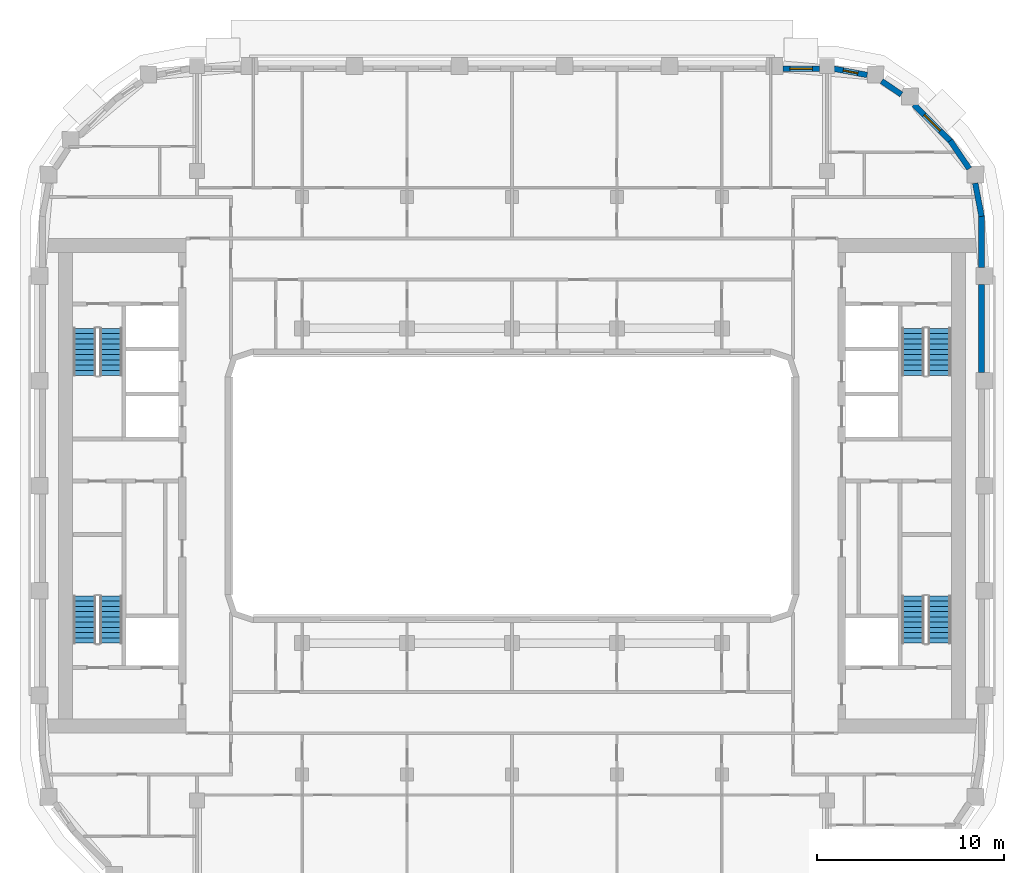
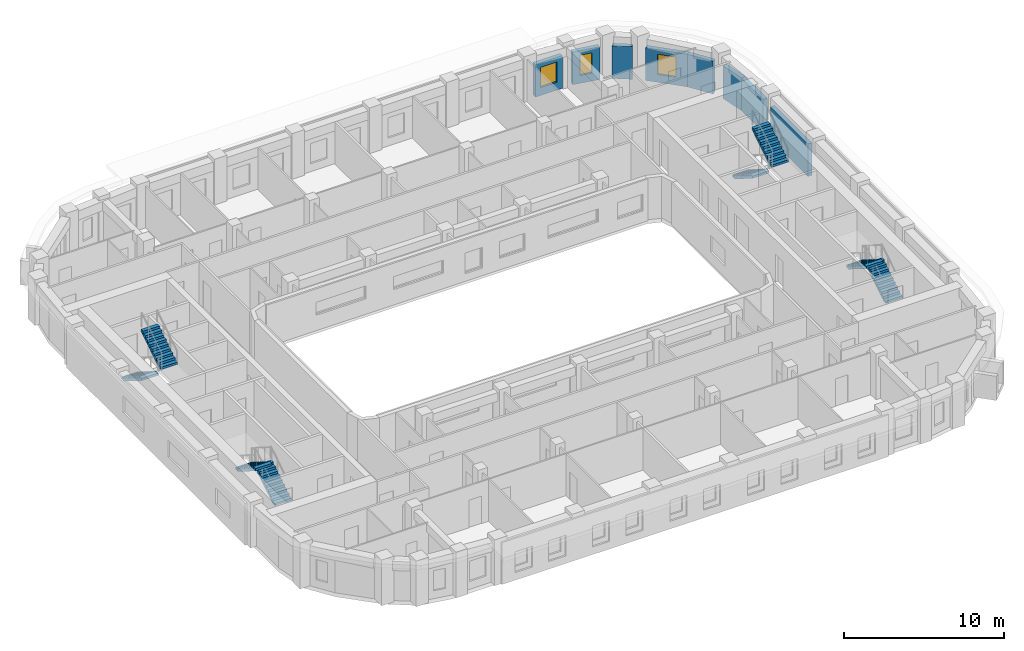
# One storey, part 9 of 21: 8 stair flights, 8 walls, 3 windows, 3 openings, 4 elements without a shape of their own.
"""IFC4 building model written with IfcOpenShell, lengths in metres."""

from ifc_helpers import new_model, si_unit, direction, frame, frame_2d, origin, place, context, subcontext, project, spatial, polyline, rectangle, outline, extrude, material, layer, layer_set, type_object, element, fill, aggregate, save


model = new_model("IFC4")

# Units and contexts
model_context = context("Model", 3, precision=1e-05, world=origin(), true_north=direction((0.0, 1.0)))
body_context = subcontext(model_context, "Body", "Model", "MODEL_VIEW")
ifc_project = project(units=[si_unit("LENGTHUNIT", "METRE"), si_unit("AREAUNIT", "SQUARE_METRE"), si_unit("VOLUMEUNIT", "CUBIC_METRE"), si_unit("PLANEANGLEUNIT", "RADIAN"), si_unit("MASSUNIT", "GRAM", prefix="KILO")], contexts=[model_context])

# Site, building, storey
site_placement = place(None, origin())
site = spatial("IfcSite", under=ifc_project, at=site_placement, CompositionType="ELEMENT")
building_placement = place(site_placement, origin())
building = spatial("IfcBuilding", under=site, at=building_placement, Name="Kiln Ring Residences", CompositionType="ELEMENT")
storey_placement = place(building_placement, frame((0.0, 0.0, 199.39990234375)))
storey = spatial("IfcBuildingStorey", under=building, at=storey_placement, Name="L51", CompositionType="ELEMENT", Elevation=199.39990234375)

# Walls
ifc_material_1 = material(Name="Brick masonry, dark clay brick", Category="masonry")
ifc_layer = layer(ifc_material_1, 0.300048828125)
ifc_layer_set = layer_set([ifc_layer], Name="EW-300 BRICK WALL")
wall_type = type_object("IfcWallType", Name="EW-300 BRICK WALL", PredefinedType="SOLIDWALL", material=ifc_layer_set)
wall_1_placement = place(storey_placement, frame((25.050048828125, 6.050048828125, 0.0), z_axis=(0.0, 0.0, 1.0), x_axis=(0.0, 1.0, 0.0)))
element("IfcWall", 1, at=wall_1_placement, inside=storey, type_object=wall_type, Name="Facade wall L51 20", PredefinedType="SOLIDWALL", context=body_context, shape_type="SweptSolid", body=[
    extrude(rectangle(XDim=4.699951171875, YDim=0.300048828125, at=frame_2d((2.35009765625, 0.0))), origin(), (0.0, 0.0, 1.0), 2.5),
])
wall_2_placement = place(storey_placement, frame((25.050048828125, 11.64990234375, 0.0), z_axis=(0.0, 0.0, 1.0), x_axis=(0.0, 1.0, 0.0)))
element("IfcWall", 2, at=wall_2_placement, inside=storey, type_object=wall_type, Name="Facade wall L51 21", PredefinedType="SOLIDWALL", context=body_context, shape_type="SweptSolid", body=[
    extrude(rectangle(XDim=2.75, YDim=0.300048828125, at=frame_2d((1.375, 0.0))), origin(), (0.0, 0.0, 1.0), 2.5),
])
for number, where, z_axis, x_axis, name in (
    (3, (25.052734375, 14.371826171875, 0.0), (0.0, 0.0, 1.0), (-0.187348135549, 0.982293579388, 0.0), "Facade wall L51 22"),
    (4, (24.39404296875, 16.9189453125, 0.0), (0.0, 0.0, 1.0), (-0.562040093569, 0.827109988588, 0.0), "Facade wall L51 23"),
):
    element("IfcWall", number, at=place(storey_placement, frame(where, z_axis=z_axis, x_axis=x_axis)), inside=storey, type_object=wall_type, Name=name, PredefinedType="SOLIDWALL", context=body_context, shape_type="SweptSolid", body=[
        extrude(rectangle(XDim=1.80615234375, YDim=0.300048828125, at=frame_2d((0.903076171875, 0.0))), origin(), (0.0, 0.0, 1.0), 2.5),
    ])

# Wall, opening, window
wall_3_placement = place(storey_placement, frame((23.39697265625, 18.390869140625, 0.0), z_axis=(0.0, 0.0, 1.0), x_axis=(-0.707106781187, 0.707106781187, 0.0)))
wall_3 = element("IfcWall", 5, at=wall_3_placement, inside=storey, type_object=wall_type, Name="Facade wall L51 24", PredefinedType="SOLIDWALL", context=body_context, shape_type="SweptSolid", body=[
    extrude(rectangle(XDim=2.75, YDim=0.300048828125, at=frame_2d((1.375, 0.0))), origin(), (0.0, 0.0, 1.0), 2.5),
])
opening_1_placement = place(wall_3_placement, frame((0.77490234375, 0.0, 0.60009765625)))
opening_1 = element("IfcOpeningElement", 6, at=opening_1_placement, cuts=wall_3, Name="Opening W1", PredefinedType="OPENING", context=body_context, shape_type="SweptSolid", body=[
    extrude(rectangle(XDim=1.199951171875, YDim=1.550048828125, at=frame_2d((0.60009765625, 0.77490234375))), frame((0.0, 0.159912109375, 0.0), z_axis=(0.0, -1.0, 0.0), x_axis=(1.0, 0.0, 0.0)), (0.0, 0.0, 1.0), 0.320068359375),
])
ifc_material_2 = material(Name="Aluminium frame with double glazing", Category="aluminium")
window_type_1 = type_object("IfcWindowType", Name="WINDOW 1200 x 1550", PartitioningType="SINGLE_PANEL", PredefinedType="WINDOW", material=ifc_material_2)
window_1_placement = place(opening_1_placement, origin())
window_1 = element("IfcWindow", 7, at=window_1_placement, inside=storey, type_object=window_type_1, Name="Window L51 17", OverallHeight=1.550048828125, OverallWidth=1.199951171875, PartitioningType="SINGLE_PANEL", PredefinedType="WINDOW", context=body_context, shape_type="SweptSolid", body=[
    extrude(rectangle(XDim=1.199951171875, YDim=1.550048828125, at=frame_2d((0.60009765625, 0.77490234375))), frame((0.0, 0.030029296875, 0.0), z_axis=(0.0, -1.0, 0.0), x_axis=(1.0, 0.0, 0.0)), (0.0, 0.0, 1.0), 0.06005859375),
])
fill(opening_1, window_1)

# Wall
wall_4_placement = place(storey_placement, frame((20.775146484375, 20.876220703125, 0.0), z_axis=(0.0, 0.0, 1.0), x_axis=(-0.827075824828, 0.562090366388, 0.0)))
element("IfcWall", 8, at=wall_4_placement, inside=storey, type_object=wall_type, Name="Facade wall L51 25", PredefinedType="SOLIDWALL", context=body_context, shape_type="SweptSolid", body=[
    extrude(rectangle(XDim=1.27685546875, YDim=0.300048828125, at=frame_2d((0.638427734375, 0.0))), origin(), (0.0, 0.0, 1.0), 2.5),
])

# Wall, opening, window
wall_5_placement = place(storey_placement, frame((18.946044921875, 21.914306640625, 0.0), z_axis=(0.0, 0.0, 1.0), x_axis=(-0.98230529033, 0.187286722942, 0.0)))
wall_5 = element("IfcWall", 9, at=wall_5_placement, inside=storey, type_object=wall_type, Name="Facade wall L51 26", PredefinedType="SOLIDWALL", context=body_context, shape_type="SweptSolid", body=[
    extrude(rectangle(XDim=1.798828125, YDim=0.300048828125, at=frame_2d((0.8994140625, 0.0))), origin(), (0.0, 0.0, 1.0), 2.5),
])
opening_2_placement = place(wall_5_placement, frame((0.49951171875, 0.0, 0.60009765625)))
opening_2 = element("IfcOpeningElement", 10, at=opening_2_placement, cuts=wall_5, Name="Opening W5", PredefinedType="OPENING", context=body_context, shape_type="SweptSolid", body=[
    extrude(rectangle(XDim=0.800048828125, YDim=1.550048828125, at=frame_2d((0.39990234375, 0.77490234375))), frame((0.0, 0.159912109375, 0.0), z_axis=(0.0, -1.0, 0.0), x_axis=(1.0, 0.0, 0.0)), (0.0, 0.0, 1.0), 0.320068359375),
])
ifc_material_3 = material(Name="Aluminium frame with double glazing", Category="aluminium")
window_type_2 = type_object("IfcWindowType", Name="WINDOW 800 x 1550", PartitioningType="SINGLE_PANEL", PredefinedType="WINDOW", material=ifc_material_3)
window_2_placement = place(opening_2_placement, origin())
window_2 = element("IfcWindow", 11, at=window_2_placement, inside=storey, type_object=window_type_2, Name="Window L51 18", OverallHeight=1.550048828125, OverallWidth=0.800048828125, PartitioningType="SINGLE_PANEL", PredefinedType="WINDOW", context=body_context, shape_type="SweptSolid", body=[
    extrude(rectangle(XDim=0.800048828125, YDim=1.550048828125, at=frame_2d((0.39990234375, 0.77490234375))), frame((0.0, 0.030029296875, 0.0), z_axis=(0.0, -1.0, 0.0), x_axis=(1.0, 0.0, 0.0)), (0.0, 0.0, 1.0), 0.06005859375),
])
fill(opening_2, window_2)

wall_6_placement = place(storey_placement, frame((16.39990234375, 22.25, 0.0), z_axis=(0.0, 0.0, 1.0), x_axis=(-1.0, 0.0, 0.0)))
wall_6 = element("IfcWall", 12, at=wall_6_placement, inside=storey, type_object=wall_type, Name="Facade wall L51 27", PredefinedType="SOLIDWALL", context=body_context, shape_type="SweptSolid", body=[
    extrude(rectangle(XDim=1.949951171875, YDim=0.300048828125, at=frame_2d((0.97509765625, 0.0))), origin(), (0.0, 0.0, 1.0), 2.5),
])
opening_3_placement = place(wall_6_placement, frame((0.375, 0.0, 0.60009765625)))
opening_3 = element("IfcOpeningElement", 13, at=opening_3_placement, cuts=wall_6, Name="Opening W1", PredefinedType="OPENING", context=body_context, shape_type="SweptSolid", body=[
    extrude(rectangle(XDim=1.199951171875, YDim=1.550048828125, at=frame_2d((0.60009765625, 0.77490234375))), frame((0.0, 0.159912109375, 0.0), z_axis=(0.0, -1.0, 0.0), x_axis=(1.0, 0.0, 0.0)), (0.0, 0.0, 1.0), 0.320068359375),
])
window_3_placement = place(opening_3_placement, origin())
window_3 = element("IfcWindow", 14, at=window_3_placement, inside=storey, type_object=window_type_1, Name="Window L51 19", OverallHeight=1.550048828125, OverallWidth=1.199951171875, PartitioningType="SINGLE_PANEL", PredefinedType="WINDOW", context=body_context, shape_type="SweptSolid", body=[
    extrude(rectangle(XDim=1.199951171875, YDim=1.550048828125, at=frame_2d((0.60009765625, 0.77490234375))), frame((0.0, 0.030029296875, 0.0), z_axis=(0.0, -1.0, 0.0), x_axis=(1.0, 0.0, 0.0)), (0.0, 0.0, 1.0), 0.06005859375),
])
fill(opening_3, window_3)

# Stair, stair flights
ifc_material_4 = material(Name="Concrete C40/50", Category="concrete")
stair_type = type_object("IfcStairType", Name="CORE-STAIR", PredefinedType="HALF_TURN_STAIR", material=ifc_material_4)
placement = place(storey_placement, origin())
stair_1 = element("IfcStair", 15, at=placement, inside=storey, type_object=stair_type, Name="L51 stair W-STN", PredefinedType="HALF_TURN_STAIR")
ifc_material_5 = material(Name="Concrete C40/50", Category="concrete")
stair_flight_type = type_object("IfcStairFlightType", Name="CORE-STAIR-FLIGHT", PredefinedType="STRAIGHT", material=ifc_material_5)
stair_flight_1_placement = place(storey_placement, frame((-22.800048828125, 8.39990234375, 0.0), z_axis=(0.0, 0.0, 1.0), x_axis=(0.0, -1.0, 0.0)))
stair_flight_1 = element("IfcStairFlight", 16, at=stair_flight_1_placement, type_object=stair_flight_type, Name="W-STN flight 1", NumberOfRisers=10, NumberOfTreads=9, PredefinedType="STRAIGHT", RiserHeight=0.175, TreadLength=0.28, context=body_context, shape_type="SweptSolid", body=[
    extrude(outline(polyline([(0.0, 0.0), (0.0, 0.175048828125), (0.280029296875, 0.175048828125), (0.280029296875, 0.35009765625), (0.56005859375, 0.35009765625), (0.56005859375, 0.52490234375), (0.840087890625, 0.52490234375), (0.840087890625, 0.699951171875), (1.1201171875, 0.699951171875), (1.1201171875, 0.875), (1.39990234375, 0.875), (1.39990234375, 1.050048828125), (1.679931640625, 1.050048828125), (1.679931640625, 1.22509765625), (1.9599609375, 1.22509765625), (1.9599609375, 1.39990234375), (2.239990234375, 1.39990234375), (2.239990234375, 1.574951171875), (2.52001953125, 1.574951171875), (2.52001953125, 1.75), (2.52001953125, 1.398193359375), (0.28271484375, 0.0), (0.0, 0.0)])), frame((0.0, 0.60009765625, 0.0), z_axis=(0.0, -1.0, 0.0), x_axis=(1.0, 0.0, 0.0)), (0.0, 0.0, 1.0), 1.199951171875),
])
stair_flight_2_placement = place(storey_placement, frame((-21.39990234375, 5.8798828125, 1.75), z_axis=(0.0, 0.0, 1.0), x_axis=(0.0, 1.0, 0.0)))
stair_flight_2 = element("IfcStairFlight", 17, at=stair_flight_2_placement, type_object=stair_flight_type, Name="W-STN flight 2", NumberOfRisers=10, NumberOfTreads=9, PredefinedType="STRAIGHT", RiserHeight=0.175, TreadLength=0.28, context=body_context, shape_type="SweptSolid", body=[
    extrude(outline(polyline([(0.0, 0.0), (0.0, 0.175048828125), (0.280029296875, 0.175048828125), (0.280029296875, 0.35009765625), (0.56005859375, 0.35009765625), (0.56005859375, 0.52490234375), (0.840087890625, 0.52490234375), (0.840087890625, 0.699951171875), (1.1201171875, 0.699951171875), (1.1201171875, 0.875), (1.39990234375, 0.875), (1.39990234375, 1.050048828125), (1.679931640625, 1.050048828125), (1.679931640625, 1.22509765625), (1.9599609375, 1.22509765625), (1.9599609375, 1.39990234375), (2.239990234375, 1.39990234375), (2.239990234375, 1.574951171875), (2.52001953125, 1.574951171875), (2.52001953125, 1.75), (2.52001953125, 1.398193359375), (0.28271484375, 0.0), (0.0, 0.0)])), frame((0.0, 0.60009765625, 0.0), z_axis=(0.0, -1.0, 0.0), x_axis=(1.0, 0.0, 0.0)), (0.0, 0.0, 1.0), 1.199951171875),
])
aggregate(stair_1, [stair_flight_1, stair_flight_2])

stair_2 = element("IfcStair", 18, at=placement, inside=storey, type_object=stair_type, Name="L51 stair W-STS", PredefinedType="HALF_TURN_STAIR")
stair_flight_3_placement = place(storey_placement, frame((-21.39990234375, -8.39990234375, 0.0), z_axis=(0.0, 0.0, 1.0), x_axis=(0.0, 1.0, 0.0)))
stair_flight_3 = element("IfcStairFlight", 19, at=stair_flight_3_placement, type_object=stair_flight_type, Name="W-STS flight 1", NumberOfRisers=10, NumberOfTreads=9, PredefinedType="STRAIGHT", RiserHeight=0.175, TreadLength=0.28, context=body_context, shape_type="SweptSolid", body=[
    extrude(outline(polyline([(0.0, 0.0), (0.0, 0.175048828125), (0.280029296875, 0.175048828125), (0.280029296875, 0.35009765625), (0.56005859375, 0.35009765625), (0.56005859375, 0.52490234375), (0.840087890625, 0.52490234375), (0.840087890625, 0.699951171875), (1.1201171875, 0.699951171875), (1.1201171875, 0.875), (1.39990234375, 0.875), (1.39990234375, 1.050048828125), (1.679931640625, 1.050048828125), (1.679931640625, 1.22509765625), (1.9599609375, 1.22509765625), (1.9599609375, 1.39990234375), (2.239990234375, 1.39990234375), (2.239990234375, 1.574951171875), (2.52001953125, 1.574951171875), (2.52001953125, 1.75), (2.52001953125, 1.398193359375), (0.28271484375, 0.0), (0.0, 0.0)])), frame((0.0, 0.60009765625, 0.0), z_axis=(0.0, -1.0, 0.0), x_axis=(1.0, 0.0, 0.0)), (0.0, 0.0, 1.0), 1.199951171875),
])
stair_flight_4_placement = place(storey_placement, frame((-22.800048828125, -5.8798828125, 1.75), z_axis=(0.0, 0.0, 1.0), x_axis=(0.0, -1.0, 0.0)))
stair_flight_4 = element("IfcStairFlight", 20, at=stair_flight_4_placement, type_object=stair_flight_type, Name="W-STS flight 2", NumberOfRisers=10, NumberOfTreads=9, PredefinedType="STRAIGHT", RiserHeight=0.175, TreadLength=0.28, context=body_context, shape_type="SweptSolid", body=[
    extrude(outline(polyline([(0.0, 0.0), (0.0, 0.175048828125), (0.280029296875, 0.175048828125), (0.280029296875, 0.35009765625), (0.56005859375, 0.35009765625), (0.56005859375, 0.52490234375), (0.840087890625, 0.52490234375), (0.840087890625, 0.699951171875), (1.1201171875, 0.699951171875), (1.1201171875, 0.875), (1.39990234375, 0.875), (1.39990234375, 1.050048828125), (1.679931640625, 1.050048828125), (1.679931640625, 1.22509765625), (1.9599609375, 1.22509765625), (1.9599609375, 1.39990234375), (2.239990234375, 1.39990234375), (2.239990234375, 1.574951171875), (2.52001953125, 1.574951171875), (2.52001953125, 1.75), (2.52001953125, 1.398193359375), (0.28271484375, 0.0), (0.0, 0.0)])), frame((0.0, 0.60009765625, 0.0), z_axis=(0.0, -1.0, 0.0), x_axis=(1.0, 0.0, 0.0)), (0.0, 0.0, 1.0), 1.199951171875),
])
aggregate(stair_2, [stair_flight_3, stair_flight_4])

stair_3 = element("IfcStair", 21, at=placement, inside=storey, type_object=stair_type, Name="L51 stair E-STN", PredefinedType="HALF_TURN_STAIR")
stair_flight_5_placement = place(storey_placement, frame((21.39990234375, 8.39990234375, 0.0), z_axis=(0.0, 0.0, 1.0), x_axis=(0.0, -1.0, 0.0)))
stair_flight_5 = element("IfcStairFlight", 22, at=stair_flight_5_placement, type_object=stair_flight_type, Name="E-STN flight 1", NumberOfRisers=10, NumberOfTreads=9, PredefinedType="STRAIGHT", RiserHeight=0.175, TreadLength=0.28, context=body_context, shape_type="SweptSolid", body=[
    extrude(outline(polyline([(0.0, 0.0), (0.0, 0.175048828125), (0.280029296875, 0.175048828125), (0.280029296875, 0.35009765625), (0.56005859375, 0.35009765625), (0.56005859375, 0.52490234375), (0.840087890625, 0.52490234375), (0.840087890625, 0.699951171875), (1.1201171875, 0.699951171875), (1.1201171875, 0.875), (1.39990234375, 0.875), (1.39990234375, 1.050048828125), (1.679931640625, 1.050048828125), (1.679931640625, 1.22509765625), (1.9599609375, 1.22509765625), (1.9599609375, 1.39990234375), (2.239990234375, 1.39990234375), (2.239990234375, 1.574951171875), (2.52001953125, 1.574951171875), (2.52001953125, 1.75), (2.52001953125, 1.398193359375), (0.28271484375, 0.0), (0.0, 0.0)])), frame((0.0, 0.60009765625, 0.0), z_axis=(0.0, -1.0, 0.0), x_axis=(1.0, 0.0, 0.0)), (0.0, 0.0, 1.0), 1.199951171875),
])
stair_flight_6_placement = place(storey_placement, frame((22.800048828125, 5.8798828125, 1.75), z_axis=(0.0, 0.0, 1.0), x_axis=(0.0, 1.0, 0.0)))
stair_flight_6 = element("IfcStairFlight", 23, at=stair_flight_6_placement, type_object=stair_flight_type, Name="E-STN flight 2", NumberOfRisers=10, NumberOfTreads=9, PredefinedType="STRAIGHT", RiserHeight=0.175, TreadLength=0.28, context=body_context, shape_type="SweptSolid", body=[
    extrude(outline(polyline([(0.0, 0.0), (0.0, 0.175048828125), (0.280029296875, 0.175048828125), (0.280029296875, 0.35009765625), (0.56005859375, 0.35009765625), (0.56005859375, 0.52490234375), (0.840087890625, 0.52490234375), (0.840087890625, 0.699951171875), (1.1201171875, 0.699951171875), (1.1201171875, 0.875), (1.39990234375, 0.875), (1.39990234375, 1.050048828125), (1.679931640625, 1.050048828125), (1.679931640625, 1.22509765625), (1.9599609375, 1.22509765625), (1.9599609375, 1.39990234375), (2.239990234375, 1.39990234375), (2.239990234375, 1.574951171875), (2.52001953125, 1.574951171875), (2.52001953125, 1.75), (2.52001953125, 1.398193359375), (0.28271484375, 0.0), (0.0, 0.0)])), frame((0.0, 0.60009765625, 0.0), z_axis=(0.0, -1.0, 0.0), x_axis=(1.0, 0.0, 0.0)), (0.0, 0.0, 1.0), 1.199951171875),
])
aggregate(stair_3, [stair_flight_5, stair_flight_6])

stair_4 = element("IfcStair", 24, at=placement, inside=storey, type_object=stair_type, Name="L51 stair E-STS", PredefinedType="HALF_TURN_STAIR")
stair_flight_7_placement = place(storey_placement, frame((22.800048828125, -8.39990234375, 0.0), z_axis=(0.0, 0.0, 1.0), x_axis=(0.0, 1.0, 0.0)))
stair_flight_7 = element("IfcStairFlight", 25, at=stair_flight_7_placement, type_object=stair_flight_type, Name="E-STS flight 1", NumberOfRisers=10, NumberOfTreads=9, PredefinedType="STRAIGHT", RiserHeight=0.175, TreadLength=0.28, context=body_context, shape_type="SweptSolid", body=[
    extrude(outline(polyline([(0.0, 0.0), (0.0, 0.175048828125), (0.280029296875, 0.175048828125), (0.280029296875, 0.35009765625), (0.56005859375, 0.35009765625), (0.56005859375, 0.52490234375), (0.840087890625, 0.52490234375), (0.840087890625, 0.699951171875), (1.1201171875, 0.699951171875), (1.1201171875, 0.875), (1.39990234375, 0.875), (1.39990234375, 1.050048828125), (1.679931640625, 1.050048828125), (1.679931640625, 1.22509765625), (1.9599609375, 1.22509765625), (1.9599609375, 1.39990234375), (2.239990234375, 1.39990234375), (2.239990234375, 1.574951171875), (2.52001953125, 1.574951171875), (2.52001953125, 1.75), (2.52001953125, 1.398193359375), (0.28271484375, 0.0), (0.0, 0.0)])), frame((0.0, 0.60009765625, 0.0), z_axis=(0.0, -1.0, 0.0), x_axis=(1.0, 0.0, 0.0)), (0.0, 0.0, 1.0), 1.199951171875),
])
stair_flight_8_placement = place(storey_placement, frame((21.39990234375, -5.8798828125, 1.75), z_axis=(0.0, 0.0, 1.0), x_axis=(0.0, -1.0, 0.0)))
stair_flight_8 = element("IfcStairFlight", 26, at=stair_flight_8_placement, type_object=stair_flight_type, Name="E-STS flight 2", NumberOfRisers=10, NumberOfTreads=9, PredefinedType="STRAIGHT", RiserHeight=0.175, TreadLength=0.28, context=body_context, shape_type="SweptSolid", body=[
    extrude(outline(polyline([(0.0, 0.0), (0.0, 0.175048828125), (0.280029296875, 0.175048828125), (0.280029296875, 0.35009765625), (0.56005859375, 0.35009765625), (0.56005859375, 0.52490234375), (0.840087890625, 0.52490234375), (0.840087890625, 0.699951171875), (1.1201171875, 0.699951171875), (1.1201171875, 0.875), (1.39990234375, 0.875), (1.39990234375, 1.050048828125), (1.679931640625, 1.050048828125), (1.679931640625, 1.22509765625), (1.9599609375, 1.22509765625), (1.9599609375, 1.39990234375), (2.239990234375, 1.39990234375), (2.239990234375, 1.574951171875), (2.52001953125, 1.574951171875), (2.52001953125, 1.75), (2.52001953125, 1.398193359375), (0.28271484375, 0.0), (0.0, 0.0)])), frame((0.0, 0.60009765625, 0.0), z_axis=(0.0, -1.0, 0.0), x_axis=(1.0, 0.0, 0.0)), (0.0, 0.0, 1.0), 1.199951171875),
])
aggregate(stair_4, [stair_flight_7, stair_flight_8])

save(model, "model.ifc")
